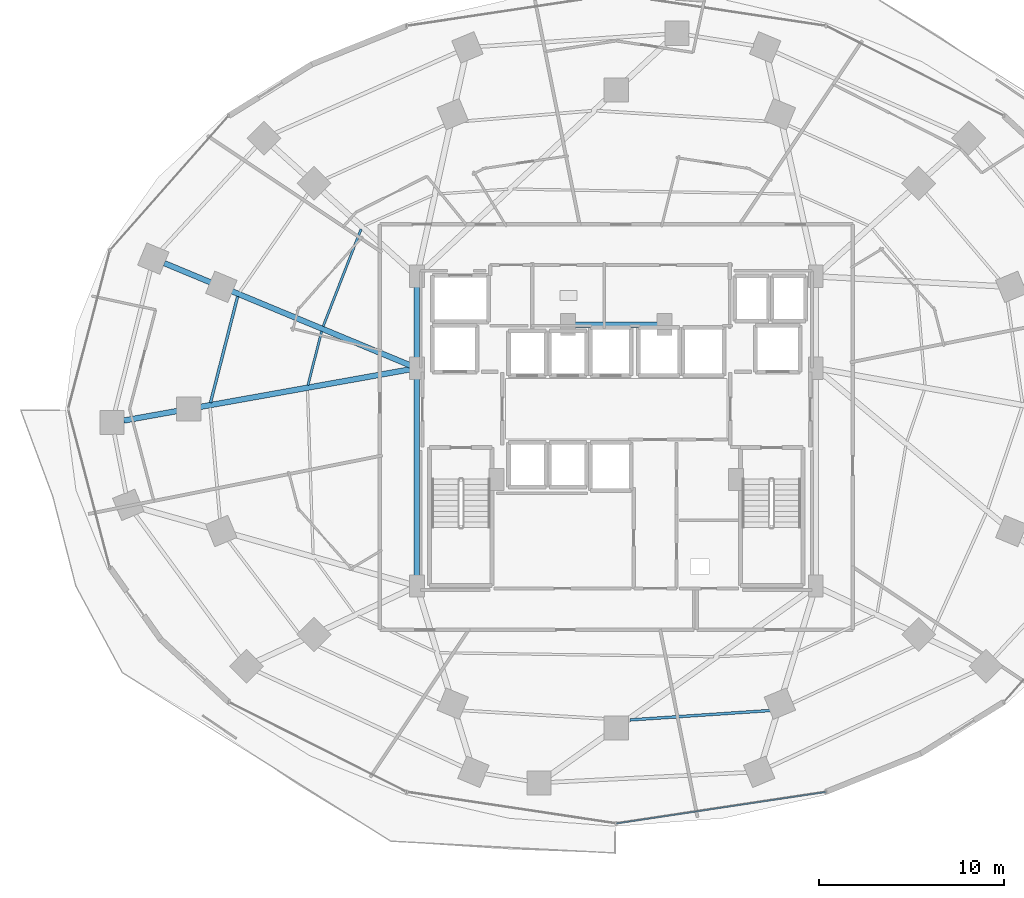
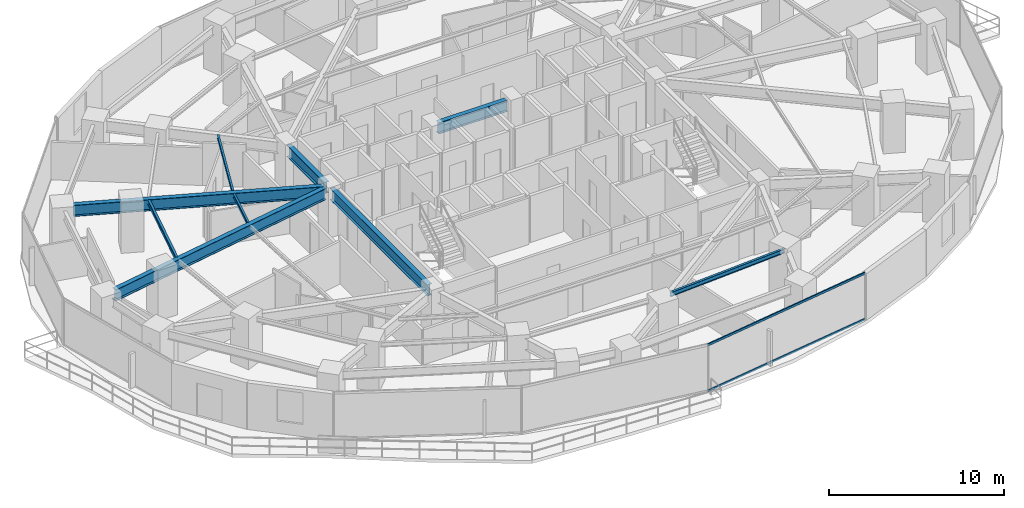
# One storey, part 10 of 33: 9 beams, 2 members, 1 element without a shape of its own.
"""IFC4 building model written with IfcOpenShell, lengths in metres."""

from ifc_helpers import new_model, si_unit, direction, frame, origin, origin_2d, place, context, subcontext, project, spatial, hollow_rectangle, i_section, extrude, material, material_profile, profile_set, type_object, element, aggregate, save


model = new_model("IFC4")

# Units and contexts
model_context = context("Model", 3, precision=1e-05, world=origin(), true_north=direction((0.0, 1.0)))
body_context = subcontext(model_context, "Body", "Model", "MODEL_VIEW")
ifc_project = project(units=[si_unit("LENGTHUNIT", "METRE"), si_unit("AREAUNIT", "SQUARE_METRE"), si_unit("VOLUMEUNIT", "CUBIC_METRE"), si_unit("PLANEANGLEUNIT", "RADIAN"), si_unit("MASSUNIT", "GRAM", prefix="KILO")], contexts=[model_context])

# Site, building, storey
site_placement = place(None, origin())
site = spatial("IfcSite", under=ifc_project, at=site_placement, CompositionType="ELEMENT")
building_placement = place(site_placement, origin())
building = spatial("IfcBuilding", under=site, at=building_placement, Name="Vorneva Point Tower", CompositionType="ELEMENT")
storey_placement = place(building_placement, frame((0.0, 0.0, 38.0)))
storey = spatial("IfcBuildingStorey", under=building, at=storey_placement, Name="L09", CompositionType="ELEMENT", Elevation=38.0)

# Beams
ifc_material_1 = material(Name="Steel S355", Category="steel")
ifc_material_profile_1 = material_profile(ifc_material_1, i_section(OverallWidth=0.300048828125, OverallDepth=0.7880859375, WebThickness=0.014404296875, FlangeThickness=0.02197265625, at=origin_2d()), Name="80Sh1")
ifc_profile_set_1 = profile_set([ifc_material_profile_1], Name="Steel S355")
beam_type_1 = type_object("IfcBeamType", Name="BM-GRD-80Sh1", PredefinedType="USERDEFINED", material=ifc_profile_set_1)
beam_1_placement = place(storey_placement, frame((13.62841796875, 33.860595703125, 2.845947265625), z_axis=(0.923441399183, -0.383739471874, 0.0), x_axis=(0.383739471874, 0.923441399183, 0.0)))
element("IfcBeam", 1, at=beam_1_placement, inside=storey, type_object=beam_type_1, Name="L09 Radial Primary Girder 08", ObjectType="GIRDER", PredefinedType="USERDEFINED", context=body_context, shape_type="SweptSolid", body=[
    extrude(i_section(OverallWidth=0.300048828125, OverallDepth=0.7880859375, WebThickness=0.014404296875, FlangeThickness=0.02197265625, at=origin_2d()), origin(), (0.0, 0.0, 1.0), 14.410888671875),
])
beam_2_placement = place(storey_placement, frame((11.44580078125, 25.373291015625, 2.845947265625), z_axis=(0.984378664832, 0.176064318428, 0.0), x_axis=(-0.176064318428, 0.984378664832, 0.0)))
element("IfcBeam", 2, at=beam_2_placement, inside=storey, type_object=beam_type_1, Name="L09 Radial Primary Girder 09", ObjectType="GIRDER", PredefinedType="USERDEFINED", context=body_context, shape_type="SweptSolid", body=[
    extrude(i_section(OverallWidth=0.300048828125, OverallDepth=0.7880859375, WebThickness=0.014404296875, FlangeThickness=0.02197265625, at=origin_2d()), origin(), (0.0, 0.0, 1.0), 15.715087890625),
])
beam_3_placement = place(storey_placement, frame((27.25, 16.77001953125, 2.845947265625), z_axis=(0.0, 1.0, 0.0), x_axis=(-1.0, 0.0, 0.0)))
element("IfcBeam", 3, at=beam_3_placement, inside=storey, type_object=beam_type_1, Name="L09 Core Tie Girder CT1", ObjectType="GIRDER", PredefinedType="USERDEFINED", context=body_context, shape_type="SweptSolid", body=[
    extrude(i_section(OverallWidth=0.300048828125, OverallDepth=0.7880859375, WebThickness=0.014404296875, FlangeThickness=0.02197265625, at=origin_2d()), origin(), (0.0, 0.0, 1.0), 11.10986328125),
])
beam_4_placement = place(storey_placement, frame((27.25, 28.52001953125, 2.845947265625), z_axis=(0.0, 1.0, 0.0), x_axis=(-1.0, 0.0, 0.0)))
element("IfcBeam", 4, at=beam_4_placement, inside=storey, type_object=beam_type_1, Name="L09 Core Tie Girder CT2", ObjectType="GIRDER", PredefinedType="USERDEFINED", context=body_context, shape_type="SweptSolid", body=[
    extrude(i_section(OverallWidth=0.300048828125, OverallDepth=0.7880859375, WebThickness=0.014404296875, FlangeThickness=0.02197265625, at=origin_2d()), origin(), (0.0, 0.0, 1.0), 4.31005859375),
])
beam_5_placement = place(storey_placement, frame((35.719970703125, 30.550048828125, 2.845947265625), z_axis=(1.0, 0.0, 0.0), x_axis=(0.0, 1.0, 0.0)))
element("IfcBeam", 5, at=beam_5_placement, inside=storey, type_object=beam_type_1, Name="L09 Core Tie Girder CT8", ObjectType="GIRDER", PredefinedType="USERDEFINED", context=body_context, shape_type="SweptSolid", body=[
    extrude(i_section(OverallWidth=0.300048828125, OverallDepth=0.7880859375, WebThickness=0.014404296875, FlangeThickness=0.02197265625, at=origin_2d()), origin(), (0.0, 0.0, 1.0), 4.56005859375),
])
ifc_material_profile_2 = material_profile(ifc_material_1, i_section(OverallWidth=0.1240234375, OverallDepth=0.248046875, WebThickness=0.0048828125, FlangeThickness=0.008056640625, at=origin_2d()), Name="25B1")
ifc_profile_set_2 = profile_set([ifc_material_profile_2], Name="Steel S355")
beam_type_2 = type_object("IfcBeamType", Name="BM-JST-25B1", PredefinedType="JOIST", material=ifc_profile_set_2)
beam_6_placement = place(storey_placement, frame((24.23974609375, 35.6953125, 3.115966796875), z_axis=(-0.363151415934, -0.931730137489, 0.0), x_axis=(0.931730137489, -0.363151415934, 0.0)))
element("IfcBeam", 6, at=beam_6_placement, inside=storey, type_object=beam_type_2, Name="L09 Secondary Floor Beam 2.07", PredefinedType="JOIST", context=body_context, shape_type="SweptSolid", body=[
    extrude(i_section(OverallWidth=0.1240234375, OverallDepth=0.248046875, WebThickness=0.0048828125, FlangeThickness=0.008056640625, at=origin_2d()), origin(), (0.0, 0.0, 1.0), 5.629638671875),
])
beam_7_placement = place(storey_placement, frame((22.111572265625, 30.1875, 3.115966796875), z_axis=(-0.243875659039, -0.969806507984, 0.0), x_axis=(0.969806507984, -0.243875659039, 0.0)))
element("IfcBeam", 7, at=beam_7_placement, inside=storey, type_object=beam_type_2, Name="L09 Secondary Floor Beam 2.08", PredefinedType="JOIST", context=body_context, shape_type="SweptSolid", body=[
    extrude(i_section(OverallWidth=0.1240234375, OverallDepth=0.248046875, WebThickness=0.0048828125, FlangeThickness=0.008056640625, at=origin_2d()), origin(), (0.0, 0.0, 1.0), 3.000244140625),
])
ifc_material_profile_3 = material_profile(ifc_material_1, i_section(OverallWidth=0.14892578125, OverallDepth=0.298095703125, WebThickness=0.005615234375, FlangeThickness=0.008056640625, at=origin_2d()), Name="30B1")
ifc_profile_set_3 = profile_set([ifc_material_profile_3], Name="Steel S355")
beam_type_3 = type_object("IfcBeamType", Name="BM-JST-30B1", PredefinedType="JOIST", material=ifc_profile_set_3)
beam_8_placement = place(storey_placement, frame((17.58642578125, 32.06787109375, 3.091064453125), z_axis=(-0.247756675765, -0.968822290007, 0.0), x_axis=(0.968822290007, -0.247756675765, 0.0)))
element("IfcBeam", 8, at=beam_8_placement, inside=storey, type_object=beam_type_3, Name="L09 Secondary Floor Beam 1.08", PredefinedType="JOIST", context=body_context, shape_type="SweptSolid", body=[
    extrude(i_section(OverallWidth=0.14892578125, OverallDepth=0.298095703125, WebThickness=0.005615234375, FlangeThickness=0.008056640625, at=origin_2d()), origin(), (0.0, 0.0, 1.0), 5.915283203125),
])
beam_9_placement = place(storey_placement, frame((38.731689453125, 9.23193359375, 3.091064453125), z_axis=(0.997743904339, 0.06713494883, 0.0), x_axis=(-0.06713494883, 0.997743904339, 0.0)))
element("IfcBeam", 9, at=beam_9_placement, inside=storey, type_object=beam_type_3, Name="L09 Secondary Floor Beam 1.13", PredefinedType="JOIST", context=body_context, shape_type="SweptSolid", body=[
    extrude(i_section(OverallWidth=0.14892578125, OverallDepth=0.298095703125, WebThickness=0.005615234375, FlangeThickness=0.008056640625, at=origin_2d()), origin(), (0.0, 0.0, 1.0), 7.865966796875),
])

# Curtain wall, members
ifc_material_2 = material(Name="Pale anodised aluminium", Category="aluminium")
curtain_wall_type = type_object("IfcCurtainWallType", Name="CW-HTL-SYS", PredefinedType="NOTDEFINED", material=ifc_material_2)
curtain_wall_placement = place(storey_placement, origin())
curtain_wall = element("IfcCurtainWall", 10, at=curtain_wall_placement, inside=storey, type_object=curtain_wall_type, Name="L09 Unitised Curtain Wall CW-L09-R04", PredefinedType="NOTDEFINED")
ifc_material_profile_4 = material_profile(ifc_material_2, hollow_rectangle(XDim=0.074951171875, YDim=0.14990234375, WallThickness=0.00390625, at=origin_2d()), Name="AL-TRN 150x75x4")
ifc_profile_set_4 = profile_set([ifc_material_profile_4], Name="Pale anodised aluminium")
member_type = type_object("IfcMemberType", Name="CW-TRN-150", PredefinedType="USERDEFINED", material=ifc_profile_set_4)
member_1_placement = place(storey_placement, frame((38.0, 3.64990234375, 0.02001953125), z_axis=(0.988870014575, 0.148782036131, 0.0), x_axis=(-0.148782036131, 0.988870014575, 0.0)))
member_1 = element("IfcMember", 11, at=member_1_placement, type_object=member_type, Name="CW-L09-R04 Transom 03.1", ObjectType="TRANSOM", PredefinedType="USERDEFINED", context=body_context, shape_type="SweptSolid", body=[
    extrude(hollow_rectangle(XDim=0.074951171875, YDim=0.14990234375, WallThickness=0.00390625, at=origin_2d()), origin(), (0.0, 0.0, 1.0), 11.435546875),
])
member_2_placement = place(storey_placement, frame((38.0, 3.64990234375, 3.219970703125), z_axis=(0.988870014575, 0.148782036131, 0.0), x_axis=(-0.148782036131, 0.988870014575, 0.0)))
member_2 = element("IfcMember", 12, at=member_2_placement, type_object=member_type, Name="CW-L09-R04 Transom 03.2", ObjectType="TRANSOM", PredefinedType="USERDEFINED", context=body_context, shape_type="SweptSolid", body=[
    extrude(hollow_rectangle(XDim=0.074951171875, YDim=0.14990234375, WallThickness=0.00390625, at=origin_2d()), origin(), (0.0, 0.0, 1.0), 11.435546875),
])
aggregate(curtain_wall, [member_1, member_2])

save(model, "model.ifc")
